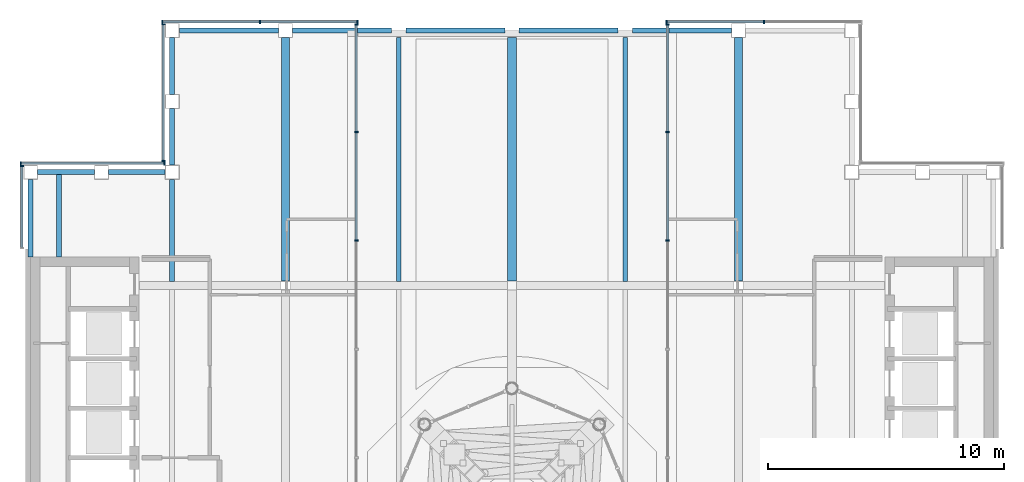
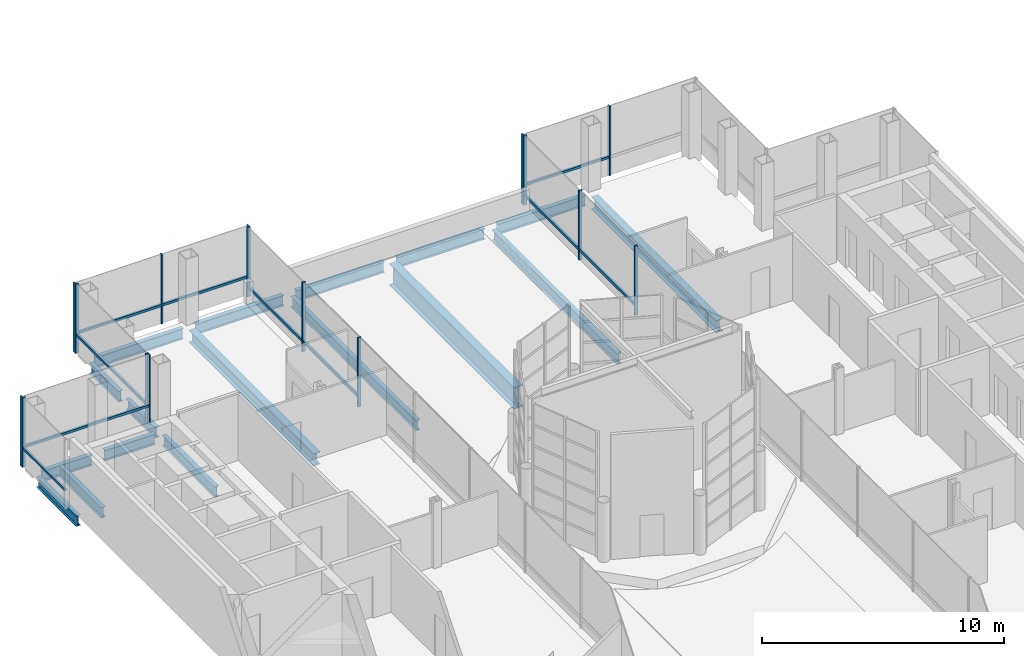
# One storey, part 20 of 32: 26 members, 17 beams, 7 elements without a shape of their own.
"""IFC4 building model written with IfcOpenShell, lengths in metres."""

from ifc_helpers import new_model, si_unit, direction, frame, origin, origin_2d, place, context, subcontext, project, spatial, rectangle, i_section, extrude, material, material_profile, profile_set, type_object, element, aggregate, save


model = new_model("IFC4")

# Units and contexts
model_context = context("Model", 3, precision=1e-05, world=origin(), true_north=direction((0.0, 1.0)))
body_context = subcontext(model_context, "Body", "Model", "MODEL_VIEW")
ifc_project = project(units=[si_unit("LENGTHUNIT", "METRE"), si_unit("AREAUNIT", "SQUARE_METRE"), si_unit("VOLUMEUNIT", "CUBIC_METRE"), si_unit("PLANEANGLEUNIT", "RADIAN"), si_unit("MASSUNIT", "GRAM", prefix="KILO")], contexts=[model_context])

# Site, building, storey
site_placement = place(None, origin())
site = spatial("IfcSite", under=ifc_project, at=site_placement, CompositionType="ELEMENT")
building_placement = place(site_placement, origin())
building = spatial("IfcBuilding", under=site, at=building_placement, Name="Cobrizo Arcos Hotel Tower", CompositionType="ELEMENT")
storey_placement = place(building_placement, frame((0.0, 0.0, 265.5)))
storey = spatial("IfcBuildingStorey", under=building, at=storey_placement, Name="L70", CompositionType="ELEMENT", Elevation=265.5)

# Curtain wall, members
ifc_material_1 = material(Name="Aluminium 6063-T6 anodised bronze", Category="aluminium")
curtain_wall_type_1 = type_object("IfcCurtainWallType", Name="CW-A guest facade", PredefinedType="NOTDEFINED", material=ifc_material_1)
curtain_wall_1_placement = place(storey_placement, origin())
curtain_wall_1 = element("IfcCurtainWall", 1, at=curtain_wall_1_placement, inside=storey, type_object=curtain_wall_type_1, Name="CW-A L70 N face", PredefinedType="NOTDEFINED")
ifc_material_profile_1 = material_profile(ifc_material_1, rectangle(XDim=0.14990234375, YDim=0.06005859375, at=origin_2d()), Name="CW-A mullion 150x60")
ifc_profile_set_1 = profile_set([ifc_material_profile_1], Name="Aluminium 6063-T6 anodised bronze")
member_type_1 = type_object("IfcMemberType", Name="CW-A mullion 150x60", PredefinedType="MULLION", material=ifc_profile_set_1)
member_1_placement = place(storey_placement, frame((10.68701171875, 20.77490234375, 0.0), z_axis=(0.0, 0.0, 1.0), x_axis=(0.0, 1.0, 0.0)))
member_1 = element("IfcMember", 2, at=member_1_placement, type_object=member_type_1, Name="CW-A mullion 2", PredefinedType="MULLION", context=body_context, shape_type="SweptSolid", body=[
    extrude(rectangle(XDim=0.14990234375, YDim=0.06005859375, at=origin_2d()), origin(), (0.0, 0.0, 1.0), 3.5),
])
member_2_placement = place(storey_placement, frame((6.553955078125, 20.77490234375, 0.0), z_axis=(0.0, 0.0, 1.0), x_axis=(0.0, 1.0, 0.0)))
member_2 = element("IfcMember", 3, at=member_2_placement, type_object=member_type_1, Name="CW-A mullion 3", PredefinedType="MULLION", context=body_context, shape_type="SweptSolid", body=[
    extrude(rectangle(XDim=0.14990234375, YDim=0.06005859375, at=origin_2d()), origin(), (0.0, 0.0, 1.0), 3.5),
])

curtain_wall_2_placement = place(storey_placement, origin())
curtain_wall_2 = element("IfcCurtainWall", 4, at=curtain_wall_2_placement, inside=storey, type_object=curtain_wall_type_1, Name="CW-A L70 N face", PredefinedType="NOTDEFINED")
member_3_placement = place(storey_placement, frame((-6.553955078125, 20.77490234375, 0.0), z_axis=(0.0, 0.0, 1.0), x_axis=(0.0, 1.0, 0.0)))
member_3 = element("IfcMember", 5, at=member_3_placement, type_object=member_type_1, Name="CW-A mullion 1", PredefinedType="MULLION", context=body_context, shape_type="SweptSolid", body=[
    extrude(rectangle(XDim=0.14990234375, YDim=0.06005859375, at=origin_2d()), origin(), (0.0, 0.0, 1.0), 3.5),
])
member_4_placement = place(storey_placement, frame((-10.68701171875, 20.77490234375, 0.0), z_axis=(0.0, 0.0, 1.0), x_axis=(0.0, 1.0, 0.0)))
member_4 = element("IfcMember", 6, at=member_4_placement, type_object=member_type_1, Name="CW-A mullion 2", PredefinedType="MULLION", context=body_context, shape_type="SweptSolid", body=[
    extrude(rectangle(XDim=0.14990234375, YDim=0.06005859375, at=origin_2d()), origin(), (0.0, 0.0, 1.0), 3.5),
])
member_5_placement = place(storey_placement, frame((-14.820068359375, 20.77490234375, 0.0), z_axis=(0.0, 0.0, 1.0), x_axis=(0.0, 1.0, 0.0)))
member_5 = element("IfcMember", 7, at=member_5_placement, type_object=member_type_1, Name="CW-A mullion 3", PredefinedType="MULLION", context=body_context, shape_type="SweptSolid", body=[
    extrude(rectangle(XDim=0.14990234375, YDim=0.06005859375, at=origin_2d()), origin(), (0.0, 0.0, 1.0), 3.5),
])

curtain_wall_3_placement = place(storey_placement, origin())
curtain_wall_3 = element("IfcCurtainWall", 8, at=curtain_wall_3_placement, inside=storey, type_object=curtain_wall_type_1, Name="CW-A L70 W face", PredefinedType="NOTDEFINED")
member_6_placement = place(storey_placement, frame((-14.77490234375, 20.669921875, 0.0), z_axis=(0.0, 0.0, 1.0), x_axis=(-1.0, 0.0, 0.0)))
member_6 = element("IfcMember", 9, at=member_6_placement, type_object=member_type_1, Name="CW-A mullion 1", PredefinedType="MULLION", context=body_context, shape_type="SweptSolid", body=[
    extrude(rectangle(XDim=0.14990234375, YDim=0.06005859375, at=origin_2d()), origin(), (0.0, 0.0, 1.0), 3.5),
])
member_7_placement = place(storey_placement, frame((-14.77490234375, 14.8798828125, 0.0), z_axis=(0.0, 0.0, 1.0), x_axis=(-1.0, 0.0, 0.0)))
member_7 = element("IfcMember", 10, at=member_7_placement, type_object=member_type_1, Name="CW-A mullion 2", PredefinedType="MULLION", context=body_context, shape_type="SweptSolid", body=[
    extrude(rectangle(XDim=0.14990234375, YDim=0.06005859375, at=origin_2d()), origin(), (0.0, 0.0, 1.0), 3.5),
])

curtain_wall_4_placement = place(storey_placement, origin())
curtain_wall_4 = element("IfcCurtainWall", 11, at=curtain_wall_4_placement, inside=storey, type_object=curtain_wall_type_1, Name="CW-A L70 N face", PredefinedType="NOTDEFINED")
member_8_placement = place(storey_placement, frame((-14.72998046875, 14.77490234375, 0.0), z_axis=(0.0, 0.0, 1.0), x_axis=(0.0, 1.0, 0.0)))
member_8 = element("IfcMember", 12, at=member_8_placement, type_object=member_type_1, Name="CW-A mullion 1", PredefinedType="MULLION", context=body_context, shape_type="SweptSolid", body=[
    extrude(rectangle(XDim=0.14990234375, YDim=0.06005859375, at=origin_2d()), origin(), (0.0, 0.0, 1.0), 3.5),
])
member_9_placement = place(storey_placement, frame((-20.820068359375, 14.77490234375, 0.0), z_axis=(0.0, 0.0, 1.0), x_axis=(0.0, 1.0, 0.0)))
member_9 = element("IfcMember", 13, at=member_9_placement, type_object=member_type_1, Name="CW-A mullion 2", PredefinedType="MULLION", context=body_context, shape_type="SweptSolid", body=[
    extrude(rectangle(XDim=0.14990234375, YDim=0.06005859375, at=origin_2d()), origin(), (0.0, 0.0, 1.0), 3.5),
])

# Curtain wall, member
curtain_wall_5_placement = place(storey_placement, origin())
curtain_wall_5 = element("IfcCurtainWall", 14, at=curtain_wall_5_placement, inside=storey, type_object=curtain_wall_type_1, Name="CW-A L70 W face", PredefinedType="NOTDEFINED")
member_10_placement = place(storey_placement, frame((-20.77490234375, 14.669921875, 0.0), z_axis=(0.0, 0.0, 1.0), x_axis=(-1.0, 0.0, 0.0)))
member_10 = element("IfcMember", 15, at=member_10_placement, type_object=member_type_1, Name="CW-A mullion 1", PredefinedType="MULLION", context=body_context, shape_type="SweptSolid", body=[
    extrude(rectangle(XDim=0.14990234375, YDim=0.06005859375, at=origin_2d()), origin(), (0.0, 0.0, 1.0), 3.5),
])

# Member
ifc_material_profile_2 = material_profile(ifc_material_1, rectangle(XDim=0.10009765625, YDim=0.1201171875, at=origin_2d()), Name="CW-A transom 120x100")
ifc_profile_set_2 = profile_set([ifc_material_profile_2], Name="Aluminium 6063-T6 anodised bronze")
member_type_2 = type_object("IfcMemberType", Name="CW-A transom 120x100", PredefinedType="USERDEFINED", material=ifc_profile_set_2)
member_11_placement = place(storey_placement, frame((10.656982421875, 20.77490234375, 0.929931640625), z_axis=(-1.0, 0.0, 0.0), x_axis=(0.0, -1.0, 0.0)))
member_11 = element("IfcMember", 16, at=member_11_placement, type_object=member_type_2, Name="CW-A transom 2181", ObjectType="TRANSOM", PredefinedType="USERDEFINED", context=body_context, shape_type="SweptSolid", body=[
    extrude(rectangle(XDim=0.10009765625, YDim=0.1201171875, at=origin_2d()), origin(), (0.0, 0.0, 1.0), 4.072998046875),
])

aggregate(curtain_wall_1, [member_1, member_2, member_11])

member_12_placement = place(storey_placement, frame((-6.583984375, 20.77490234375, 0.929931640625), z_axis=(-1.0, 0.0, 0.0), x_axis=(0.0, -1.0, 0.0)))
member_12 = element("IfcMember", 17, at=member_12_placement, type_object=member_type_2, Name="CW-A transom 2210", ObjectType="TRANSOM", PredefinedType="USERDEFINED", context=body_context, shape_type="SweptSolid", body=[
    extrude(rectangle(XDim=0.10009765625, YDim=0.1201171875, at=origin_2d()), origin(), (0.0, 0.0, 1.0), 4.072998046875),
])

member_13_placement = place(storey_placement, frame((-10.717041015625, 20.77490234375, 0.929931640625), z_axis=(-1.0, 0.0, 0.0), x_axis=(0.0, -1.0, 0.0)))
member_13 = element("IfcMember", 18, at=member_13_placement, type_object=member_type_2, Name="CW-A transom 2211", ObjectType="TRANSOM", PredefinedType="USERDEFINED", context=body_context, shape_type="SweptSolid", body=[
    extrude(rectangle(XDim=0.10009765625, YDim=0.1201171875, at=origin_2d()), origin(), (0.0, 0.0, 1.0), 4.072998046875),
])

aggregate(curtain_wall_2, [member_3, member_4, member_5, member_12, member_13])

member_14_placement = place(storey_placement, frame((-14.77490234375, 20.639892578125, 0.929931640625), z_axis=(0.0, -1.0, 0.0), x_axis=(1.0, 0.0, 0.0)))
member_14 = element("IfcMember", 19, at=member_14_placement, type_object=member_type_2, Name="CW-A transom 2212", ObjectType="TRANSOM", PredefinedType="USERDEFINED", context=body_context, shape_type="SweptSolid", body=[
    extrude(rectangle(XDim=0.10009765625, YDim=0.1201171875, at=origin_2d()), origin(), (0.0, 0.0, 1.0), 5.72998046875),
])

aggregate(curtain_wall_3, [member_6, member_7, member_14])

member_15_placement = place(storey_placement, frame((-14.760009765625, 14.77490234375, 0.929931640625), z_axis=(-1.0, 0.0, 0.0), x_axis=(0.0, -1.0, 0.0)))
member_15 = element("IfcMember", 20, at=member_15_placement, type_object=member_type_2, Name="CW-A transom 2213", ObjectType="TRANSOM", PredefinedType="USERDEFINED", context=body_context, shape_type="SweptSolid", body=[
    extrude(rectangle(XDim=0.10009765625, YDim=0.1201171875, at=origin_2d()), origin(), (0.0, 0.0, 1.0), 6.030029296875),
])

aggregate(curtain_wall_4, [member_8, member_9, member_15])

member_16_placement = place(storey_placement, frame((-20.77490234375, 14.639892578125, 0.929931640625), z_axis=(0.0, -1.0, 0.0), x_axis=(1.0, 0.0, 0.0)))
member_16 = element("IfcMember", 21, at=member_16_placement, type_object=member_type_2, Name="CW-A transom 2214", ObjectType="TRANSOM", PredefinedType="USERDEFINED", context=body_context, shape_type="SweptSolid", body=[
    extrude(rectangle(XDim=0.10009765625, YDim=0.1201171875, at=origin_2d()), origin(), (0.0, 0.0, 1.0), 3.429931640625),
])

aggregate(curtain_wall_5, [member_10, member_16])

# Curtain wall, members
curtain_wall_type_2 = type_object("IfcCurtainWallType", Name="CW-C arch infill and crown glazing", PredefinedType="NOTDEFINED", material=ifc_material_1)
curtain_wall_6_placement = place(storey_placement, origin())
curtain_wall_6 = element("IfcCurtainWall", 22, at=curtain_wall_6_placement, inside=storey, type_object=curtain_wall_type_2, Name="CW-C L70 W face", PredefinedType="NOTDEFINED")
ifc_material_profile_3 = material_profile(ifc_material_1, rectangle(XDim=0.14990234375, YDim=0.070068359375, at=origin_2d()), Name="CW-C mullion 150x70")
ifc_profile_set_3 = profile_set([ifc_material_profile_3], Name="Aluminium 6063-T6 anodised bronze")
member_type_3 = type_object("IfcMemberType", Name="CW-C mullion 150x70", PredefinedType="MULLION", material=ifc_profile_set_3)
member_17_placement = place(storey_placement, frame((6.59912109375, 20.6650390625, 0.0), z_axis=(0.0, 0.0, 1.0), x_axis=(-1.0, 0.0, 0.0)))
member_17 = element("IfcMember", 23, at=member_17_placement, type_object=member_type_3, Name="CW-C mullion 1", PredefinedType="MULLION", context=body_context, shape_type="SweptSolid", body=[
    extrude(rectangle(XDim=0.14990234375, YDim=0.070068359375, at=origin_2d()), origin(), (0.0, 0.0, 1.0), 3.5),
])
member_18_placement = place(storey_placement, frame((6.59912109375, 16.10009765625, 0.0), z_axis=(0.0, 0.0, 1.0), x_axis=(-1.0, 0.0, 0.0)))
member_18 = element("IfcMember", 24, at=member_18_placement, type_object=member_type_3, Name="CW-C mullion 2", PredefinedType="MULLION", context=body_context, shape_type="SweptSolid", body=[
    extrude(rectangle(XDim=0.14990234375, YDim=0.070068359375, at=origin_2d()), origin(), (0.0, 0.0, 1.0), 3.5),
])
member_19_placement = place(storey_placement, frame((6.59912109375, 11.5, 0.0), z_axis=(0.0, 0.0, 1.0), x_axis=(-1.0, 0.0, 0.0)))
member_19 = element("IfcMember", 25, at=member_19_placement, type_object=member_type_3, Name="CW-C mullion 3", PredefinedType="MULLION", context=body_context, shape_type="SweptSolid", body=[
    extrude(rectangle(XDim=0.14990234375, YDim=0.070068359375, at=origin_2d()), origin(), (0.0, 0.0, 1.0), 3.5),
])

curtain_wall_7_placement = place(storey_placement, origin())
curtain_wall_7 = element("IfcCurtainWall", 26, at=curtain_wall_7_placement, inside=storey, type_object=curtain_wall_type_2, Name="CW-C L70 E face", PredefinedType="NOTDEFINED")
member_20_placement = place(storey_placement, frame((-6.59912109375, 11.5, 0.0), z_axis=(0.0, 0.0, 1.0), x_axis=(1.0, 0.0, 0.0)))
member_20 = element("IfcMember", 27, at=member_20_placement, type_object=member_type_3, Name="CW-C mullion 8", PredefinedType="MULLION", context=body_context, shape_type="SweptSolid", body=[
    extrude(rectangle(XDim=0.14990234375, YDim=0.070068359375, at=origin_2d()), origin(), (0.0, 0.0, 1.0), 3.5),
])
member_21_placement = place(storey_placement, frame((-6.59912109375, 16.10009765625, 0.0), z_axis=(0.0, 0.0, 1.0), x_axis=(1.0, 0.0, 0.0)))
member_21 = element("IfcMember", 28, at=member_21_placement, type_object=member_type_3, Name="CW-C mullion 9", PredefinedType="MULLION", context=body_context, shape_type="SweptSolid", body=[
    extrude(rectangle(XDim=0.14990234375, YDim=0.070068359375, at=origin_2d()), origin(), (0.0, 0.0, 1.0), 3.5),
])
member_22_placement = place(storey_placement, frame((-6.59912109375, 20.6650390625, 0.0), z_axis=(0.0, 0.0, 1.0), x_axis=(1.0, 0.0, 0.0)))
member_22 = element("IfcMember", 29, at=member_22_placement, type_object=member_type_3, Name="CW-C mullion 10", PredefinedType="MULLION", context=body_context, shape_type="SweptSolid", body=[
    extrude(rectangle(XDim=0.14990234375, YDim=0.070068359375, at=origin_2d()), origin(), (0.0, 0.0, 1.0), 3.5),
])

# Member
ifc_material_profile_4 = material_profile(ifc_material_1, rectangle(XDim=0.10009765625, YDim=0.139892578125, at=origin_2d()), Name="CW-C transom 140x100")
ifc_profile_set_4 = profile_set([ifc_material_profile_4], Name="Aluminium 6063-T6 anodised bronze")
member_type_4 = type_object("IfcMemberType", Name="CW-C transom 140x100", PredefinedType="USERDEFINED", material=ifc_profile_set_4)
member_23_placement = place(storey_placement, frame((6.59912109375, 20.6298828125, 0.5), z_axis=(0.0, -1.0, 0.0), x_axis=(1.0, 0.0, 0.0)))
member_23 = element("IfcMember", 30, at=member_23_placement, type_object=member_type_4, Name="CW-C transom 2182", ObjectType="TRANSOM", PredefinedType="USERDEFINED", context=body_context, shape_type="SweptSolid", body=[
    extrude(rectangle(XDim=0.10009765625, YDim=0.139892578125, at=origin_2d()), origin(), (0.0, 0.0, 1.0), 4.494873046875),
])

member_24_placement = place(storey_placement, frame((6.59912109375, 16.06494140625, 0.5), z_axis=(0.0, -1.0, 0.0), x_axis=(1.0, 0.0, 0.0)))
member_24 = element("IfcMember", 31, at=member_24_placement, type_object=member_type_4, Name="CW-C transom 2183", ObjectType="TRANSOM", PredefinedType="USERDEFINED", context=body_context, shape_type="SweptSolid", body=[
    extrude(rectangle(XDim=0.10009765625, YDim=0.139892578125, at=origin_2d()), origin(), (0.0, 0.0, 1.0), 4.530029296875),
])

aggregate(curtain_wall_6, [member_17, member_18, member_19, member_23, member_24])

member_25_placement = place(storey_placement, frame((-6.59912109375, 11.534912109375, 0.5), z_axis=(0.0, 1.0, 0.0), x_axis=(-1.0, 0.0, 0.0)))
member_25 = element("IfcMember", 32, at=member_25_placement, type_object=member_type_4, Name="CW-C transom 2208", ObjectType="TRANSOM", PredefinedType="USERDEFINED", context=body_context, shape_type="SweptSolid", body=[
    extrude(rectangle(XDim=0.10009765625, YDim=0.139892578125, at=origin_2d()), origin(), (0.0, 0.0, 1.0), 4.530029296875),
])

member_26_placement = place(storey_placement, frame((-6.59912109375, 16.135009765625, 0.5), z_axis=(0.0, 1.0, 0.0), x_axis=(-1.0, 0.0, 0.0)))
member_26 = element("IfcMember", 33, at=member_26_placement, type_object=member_type_4, Name="CW-C transom 2209", ObjectType="TRANSOM", PredefinedType="USERDEFINED", context=body_context, shape_type="SweptSolid", body=[
    extrude(rectangle(XDim=0.10009765625, YDim=0.139892578125, at=origin_2d()), origin(), (0.0, 0.0, 1.0), 4.494873046875),
])

aggregate(curtain_wall_7, [member_20, member_21, member_22, member_25, member_26])

# Beams
ifc_material_2 = material(Name="Steel ASTM A992 Grade 50", Category="steel")
ifc_material_profile_5 = material_profile(ifc_material_2, i_section(OverallWidth=0.209228515625, OverallDepth=0.533447265625, WebThickness=0.01025390625, FlangeThickness=0.015625, at=origin_2d()), Name="W21X62")
ifc_profile_set_5 = profile_set([ifc_material_profile_5], Name="Steel ASTM A992 Grade 50")
beam_type_1 = type_object("IfcBeamType", Name="W21X62 joist", PredefinedType="JOIST", material=ifc_profile_set_5)
beam_1_placement = place(storey_placement, frame((-19.199951171875, 10.81005859375, -0.5166015625), z_axis=(0.0, 1.0, 0.0), x_axis=(-1.0, 0.0, 0.0)))
element("IfcBeam", 34, at=beam_1_placement, inside=storey, type_object=beam_type_1, Name="Floor joist J1, L70, no. 002", PredefinedType="JOIST", context=body_context, shape_type="SweptSolid", body=[
    extrude(i_section(OverallWidth=0.209228515625, OverallDepth=0.533447265625, WebThickness=0.01025390625, FlangeThickness=0.015625, at=origin_2d()), origin(), (0.0, 0.0, 1.0), 3.5),
])
beam_2_placement = place(storey_placement, frame((-14.39990234375, 9.763916015625, -0.5166015625), z_axis=(0.0, 1.0, 0.0), x_axis=(-1.0, 0.0, 0.0)))
element("IfcBeam", 35, at=beam_2_placement, inside=storey, type_object=beam_type_1, Name="Floor joist J1, L70, no. 006", PredefinedType="JOIST", context=body_context, shape_type="SweptSolid", body=[
    extrude(i_section(OverallWidth=0.209228515625, OverallDepth=0.533447265625, WebThickness=0.01025390625, FlangeThickness=0.015625, at=origin_2d()), origin(), (0.0, 0.0, 1.0), 4.336181640625),
])
for number, where, z_axis, x_axis, name in (
    (36, (-4.800048828125, 9.763916015625, -0.5166015625), (0.0, 1.0, 0.0), (-1.0, 0.0, 0.0), "Floor joist J1, L70, no. 010"),
    (37, (4.800048828125, 9.763916015625, -0.5166015625), (0.0, 1.0, 0.0), (-1.0, 0.0, 0.0), "Floor joist J1, L70, no. 014"),
):
    element("IfcBeam", number, at=place(storey_placement, frame(where, z_axis=z_axis, x_axis=x_axis)), inside=storey, type_object=beam_type_1, Name=name, PredefinedType="JOIST", context=body_context, shape_type="SweptSolid", body=[
        extrude(i_section(OverallWidth=0.209228515625, OverallDepth=0.533447265625, WebThickness=0.01025390625, FlangeThickness=0.015625, at=origin_2d()), origin(), (0.0, 0.0, 1.0), 10.336181640625),
    ])
ifc_material_profile_6 = material_profile(ifc_material_2, i_section(OverallWidth=0.209228515625, OverallDepth=0.533447265625, WebThickness=0.01025390625, FlangeThickness=0.015625, at=origin_2d()), Name="W21X62")
ifc_profile_set_6 = profile_set([ifc_material_profile_6], Name="Steel ASTM A992 Grade 50")
beam_type_2 = type_object("IfcBeamType", Name="W21X62 spandrel", PredefinedType="SPANDREL", material=ifc_profile_set_6)
beam_3_placement = place(storey_placement, frame((-20.39990234375, 10.81005859375, -0.5166015625), z_axis=(0.0, 1.0, 0.0), x_axis=(-1.0, 0.0, 0.0)))
element("IfcBeam", 38, at=beam_3_placement, inside=storey, type_object=beam_type_2, Name="Spandrel beam W21X62, L70, no. 004", PredefinedType="SPANDREL", context=body_context, shape_type="SweptSolid", body=[
    extrude(i_section(OverallWidth=0.209228515625, OverallDepth=0.533447265625, WebThickness=0.01025390625, FlangeThickness=0.015625, at=origin_2d()), origin(), (0.0, 0.0, 1.0), 3.2900390625),
])
for number, where, z_axis, x_axis, name in (
    (39, (-20.10009765625, 14.39990234375, -0.5166015625), (1.0, 0.0, 0.0), (0.0, 1.0, 0.0), "Spandrel beam W21X62, L70, no. 005"),
    (40, (-17.10009765625, 14.39990234375, -0.5166015625), (1.0, 0.0, 0.0), (0.0, 1.0, 0.0), "Spandrel beam W21X62, L70, no. 006"),
    (41, (-14.39990234375, 14.699951171875, -0.5166015625), (0.0, 1.0, 0.0), (-1.0, 0.0, 0.0), "Spandrel beam W21X62, L70, no. 007"),
    (42, (-14.39990234375, 17.699951171875, -0.5166015625), (0.0, 1.0, 0.0), (-1.0, 0.0, 0.0), "Spandrel beam W21X62, L70, no. 008"),
):
    element("IfcBeam", number, at=place(storey_placement, frame(where, z_axis=z_axis, x_axis=x_axis)), inside=storey, type_object=beam_type_2, Name=name, PredefinedType="SPANDREL", context=body_context, shape_type="SweptSolid", body=[
        extrude(i_section(OverallWidth=0.209228515625, OverallDepth=0.533447265625, WebThickness=0.01025390625, FlangeThickness=0.015625, at=origin_2d()), origin(), (0.0, 0.0, 1.0), 2.400146484375),
    ])
beam_4_placement = place(storey_placement, frame((-14.10009765625, 20.39990234375, -0.5166015625), z_axis=(1.0, 0.0, 0.0), x_axis=(0.0, 1.0, 0.0)))
element("IfcBeam", 43, at=beam_4_placement, inside=storey, type_object=beam_type_2, Name="Spandrel beam W21X62, L70, no. 009", PredefinedType="SPANDREL", context=body_context, shape_type="SweptSolid", body=[
    extrude(i_section(OverallWidth=0.209228515625, OverallDepth=0.533447265625, WebThickness=0.01025390625, FlangeThickness=0.015625, at=origin_2d()), origin(), (0.0, 0.0, 1.0), 4.2001953125),
])
for number, where, z_axis, x_axis, name in (
    (44, (-9.300048828125, 20.39990234375, -0.5166015625), (1.0, 0.0, 0.0), (0.0, 1.0, 0.0), "Spandrel beam W21X62, L70, no. 010"),
    (45, (-4.5, 20.39990234375, -0.5166015625), (1.0, 0.0, 0.0), (0.0, 1.0, 0.0), "Spandrel beam W21X62, L70, no. 011"),
    (46, (0.300048828125, 20.39990234375, -0.5166015625), (1.0, 0.0, 0.0), (0.0, 1.0, 0.0), "Spandrel beam W21X62, L70, no. 012"),
    (47, (5.10009765625, 20.39990234375, -0.5166015625), (1.0, 0.0, 0.0), (0.0, 1.0, 0.0), "Spandrel beam W21X62, L70, no. 013"),
):
    element("IfcBeam", number, at=place(storey_placement, frame(where, z_axis=z_axis, x_axis=x_axis)), inside=storey, type_object=beam_type_2, Name=name, PredefinedType="SPANDREL", context=body_context, shape_type="SweptSolid", body=[
        extrude(i_section(OverallWidth=0.209228515625, OverallDepth=0.533447265625, WebThickness=0.01025390625, FlangeThickness=0.015625, at=origin_2d()), origin(), (0.0, 0.0, 1.0), 4.199951171875),
    ])
ifc_material_profile_7 = material_profile(ifc_material_2, i_section(OverallWidth=0.32763671875, OverallDepth=0.622314453125, WebThickness=0.015380859375, FlangeThickness=0.0244140625, at=origin_2d()), Name="W24X131")
ifc_profile_set_7 = profile_set([ifc_material_profile_7], Name="Steel ASTM A992 Grade 50")
beam_type_3 = type_object("IfcBeamType", Name="W24X131 girder", PredefinedType="BEAM", material=ifc_profile_set_7)
for number, where, z_axis, x_axis, name in (
    (48, (-9.60009765625, 9.7841796875, -0.56103515625), (0.0, 1.0, 0.0), (-1.0, 0.0, 0.0), "Floor girder G1, L70, no. 012"),
    (49, (9.60009765625, 9.7841796875, -0.56103515625), (0.0, 1.0, 0.0), (-1.0, 0.0, 0.0), "Floor girder G1, L70, no. 016"),
):
    element("IfcBeam", number, at=place(storey_placement, frame(where, z_axis=z_axis, x_axis=x_axis)), inside=storey, type_object=beam_type_3, Name=name, PredefinedType="BEAM", context=body_context, shape_type="SweptSolid", body=[
        extrude(i_section(OverallWidth=0.32763671875, OverallDepth=0.622314453125, WebThickness=0.015380859375, FlangeThickness=0.0244140625, at=origin_2d()), origin(), (0.0, 0.0, 1.0), 10.31591796875),
    ])
ifc_material_profile_8 = material_profile(ifc_material_2, i_section(OverallWidth=0.4013671875, OverallDepth=1.089599609375, WebThickness=0.01806640625, FlangeThickness=0.031005859375, at=origin_2d()), Name="W44X230")
ifc_profile_set_8 = profile_set([ifc_material_profile_8], Name="Steel ASTM A992 Grade 50")
beam_type_4 = type_object("IfcBeamType", Name="W44X230 crown transfer girder", PredefinedType="BEAM", material=ifc_profile_set_8)
beam_5_placement = place(storey_placement, frame((0.0, 9.7841796875, -0.794921875), z_axis=(0.0, 1.0, 0.0), x_axis=(-1.0, 0.0, 0.0)))
element("IfcBeam", 50, at=beam_5_placement, inside=storey, type_object=beam_type_4, Name="Crown transfer girder CG1, L70, no. 008", PredefinedType="BEAM", context=body_context, shape_type="SweptSolid", body=[
    extrude(i_section(OverallWidth=0.4013671875, OverallDepth=1.089599609375, WebThickness=0.01806640625, FlangeThickness=0.031005859375, at=origin_2d()), origin(), (0.0, 0.0, 1.0), 10.31591796875),
])

save(model, "model.ifc")
